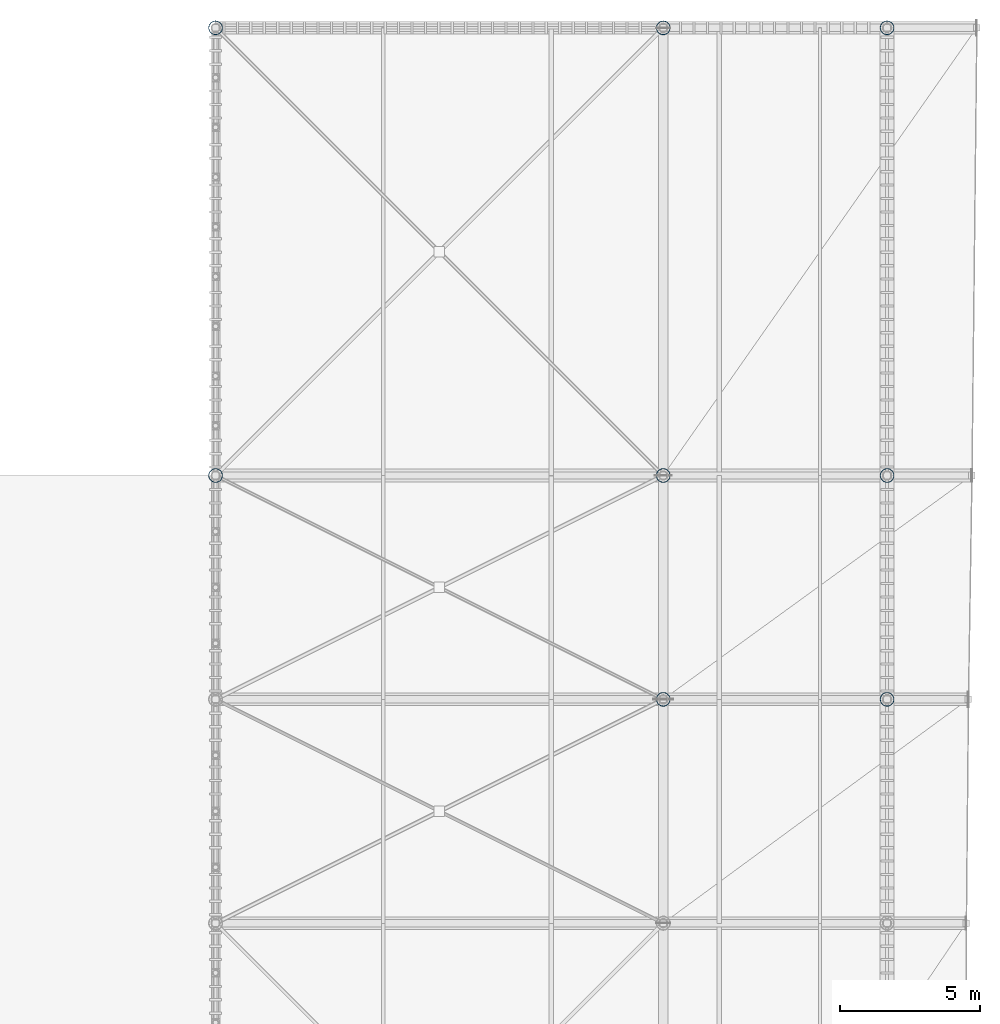
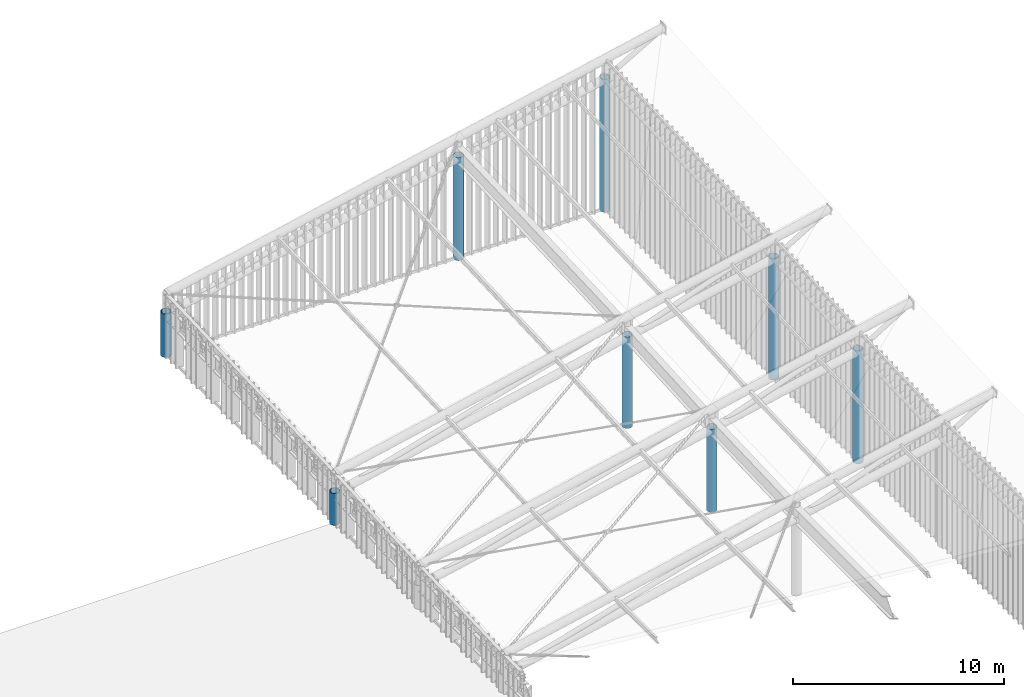
# One storey, part 2 of 25: 8 columns.
"""IFC4 building model written with IfcOpenShell, lengths in metres."""

from ifc_helpers import new_model, si_unit, direction, frame, origin, origin_2d, place, context, subcontext, project, spatial, hollow_circle, extrude, material, material_profile, profile_set, type_object, element, save


model = new_model("IFC4")

# Units and contexts
model_context = context("Model", 3, precision=1e-05, world=origin(), true_north=direction((0.0, 1.0)))
body_context = subcontext(model_context, "Body", "Model", "MODEL_VIEW")
ifc_project = project(units=[si_unit("LENGTHUNIT", "METRE"), si_unit("AREAUNIT", "SQUARE_METRE"), si_unit("VOLUMEUNIT", "CUBIC_METRE"), si_unit("PLANEANGLEUNIT", "RADIAN"), si_unit("MASSUNIT", "GRAM", prefix="KILO")], contexts=[model_context])

# Site, building, storey
site_placement = place(None, origin())
site = spatial("IfcSite", under=ifc_project, at=site_placement, CompositionType="ELEMENT")
building_placement = place(site_placement, origin())
building = spatial("IfcBuilding", under=site, at=building_placement, Name="Haebicheon Civic Stadium", CompositionType="ELEMENT")
storey_placement = place(building_placement, frame((0.0, 0.0, 31.199951171875)))
storey = spatial("IfcBuildingStorey", under=building, at=storey_placement, Name="RF", CompositionType="ELEMENT", Elevation=31.199951171875)

# Columns
ifc_material = material(Name="White painted steel SM490", Category="steel")
ifc_material_profile = material_profile(ifc_material, hollow_circle(Radius=0.25390625, WallThickness=0.02490234375, at=origin_2d()), Name="CHS-508.0x25.0")
ifc_profile_set = profile_set([ifc_material_profile], Name="White painted steel SM490")
column_type = type_object("IfcColumnType", Name="COL-ST-CHS508", PredefinedType="COLUMN", material=ifc_profile_set)
column_1_placement = place(storey_placement, frame((64.0, 112.0, 0.0), z_axis=(0.0, 0.0, 1.0), x_axis=(1.0, 0.0, 0.0)))
element("IfcColumn", 1, at=column_1_placement, inside=storey, type_object=column_type, material=ifc_profile_set, Name="Bowl/canopy support column 64/112 (RF)", PredefinedType="COLUMN", context=body_context, shape_type="SweptSolid", body=[
    extrude(hollow_circle(Radius=0.25390625, WallThickness=0.02490234375, at=origin_2d()), origin(), (0.0, 0.0, 1.0), 4.80615234375),
])
column_2_placement = place(storey_placement, frame((72.0, 112.0, 0.0), z_axis=(0.0, 0.0, 1.0), x_axis=(1.0, 0.0, 0.0)))
element("IfcColumn", 2, at=column_2_placement, inside=storey, type_object=column_type, material=ifc_profile_set, Name="Bowl/canopy support column 72/112 (RF)", PredefinedType="COLUMN", context=body_context, shape_type="SweptSolid", body=[
    extrude(hollow_circle(Radius=0.25390625, WallThickness=0.02490234375, at=origin_2d()), origin(), (0.0, 0.0, 1.0), 6.526123046875),
])
column_3_placement = place(storey_placement, frame((48.0, 120.0, 0.0), z_axis=(0.0, 0.0, 1.0), x_axis=(1.0, 0.0, 0.0)))
element("IfcColumn", 3, at=column_3_placement, inside=storey, type_object=column_type, material=ifc_profile_set, Name="Bowl/canopy support column 48/120 (RF)", PredefinedType="COLUMN", context=body_context, shape_type="SweptSolid", body=[
    extrude(hollow_circle(Radius=0.25390625, WallThickness=0.02490234375, at=origin_2d()), origin(), (0.0, 0.0, 1.0), 1.84716796875),
])
column_4_placement = place(storey_placement, frame((64.0, 120.0, 0.0), z_axis=(0.0, 0.0, 1.0), x_axis=(1.0, 0.0, 0.0)))
element("IfcColumn", 4, at=column_4_placement, inside=storey, type_object=column_type, material=ifc_profile_set, Name="Bowl/canopy support column 64/120 (RF)", PredefinedType="COLUMN", context=body_context, shape_type="SweptSolid", body=[
    extrude(hollow_circle(Radius=0.25390625, WallThickness=0.02490234375, at=origin_2d()), origin(), (0.0, 0.0, 1.0), 5.287109375),
])
column_5_placement = place(storey_placement, frame((72.0, 120.0, 0.0), z_axis=(0.0, 0.0, 1.0), x_axis=(1.0, 0.0, 0.0)))
element("IfcColumn", 5, at=column_5_placement, inside=storey, type_object=column_type, material=ifc_profile_set, Name="Bowl/canopy support column 72/120 (RF)", PredefinedType="COLUMN", context=body_context, shape_type="SweptSolid", body=[
    extrude(hollow_circle(Radius=0.25390625, WallThickness=0.02490234375, at=origin_2d()), origin(), (0.0, 0.0, 1.0), 7.007080078125),
])
column_6_placement = place(storey_placement, frame((48.0, 136.0, 0.0), z_axis=(0.0, 0.0, 1.0), x_axis=(1.0, 0.0, 0.0)))
element("IfcColumn", 6, at=column_6_placement, inside=storey, type_object=column_type, material=ifc_profile_set, Name="Bowl/canopy support column 48/136 (RF)", PredefinedType="COLUMN", context=body_context, shape_type="SweptSolid", body=[
    extrude(hollow_circle(Radius=0.25390625, WallThickness=0.02490234375, at=origin_2d()), origin(), (0.0, 0.0, 1.0), 2.52099609375),
])
column_7_placement = place(storey_placement, frame((64.0, 136.0, 0.0), z_axis=(0.0, 0.0, 1.0), x_axis=(1.0, 0.0, 0.0)))
element("IfcColumn", 7, at=column_7_placement, inside=storey, type_object=column_type, material=ifc_profile_set, Name="Bowl/canopy support column 64/136 (RF)", PredefinedType="COLUMN", context=body_context, shape_type="SweptSolid", body=[
    extrude(hollow_circle(Radius=0.25390625, WallThickness=0.02490234375, at=origin_2d()), origin(), (0.0, 0.0, 1.0), 5.9609375),
])
column_8_placement = place(storey_placement, frame((72.0, 136.0, 0.0), z_axis=(0.0, 0.0, 1.0), x_axis=(1.0, 0.0, 0.0)))
element("IfcColumn", 8, at=column_8_placement, inside=storey, type_object=column_type, material=ifc_profile_set, Name="Bowl/canopy support column 72/136 (RF)", PredefinedType="COLUMN", context=body_context, shape_type="SweptSolid", body=[
    extrude(hollow_circle(Radius=0.25390625, WallThickness=0.02490234375, at=origin_2d()), origin(), (0.0, 0.0, 1.0), 7.68115234375),
])

save(model, "model.ifc")
